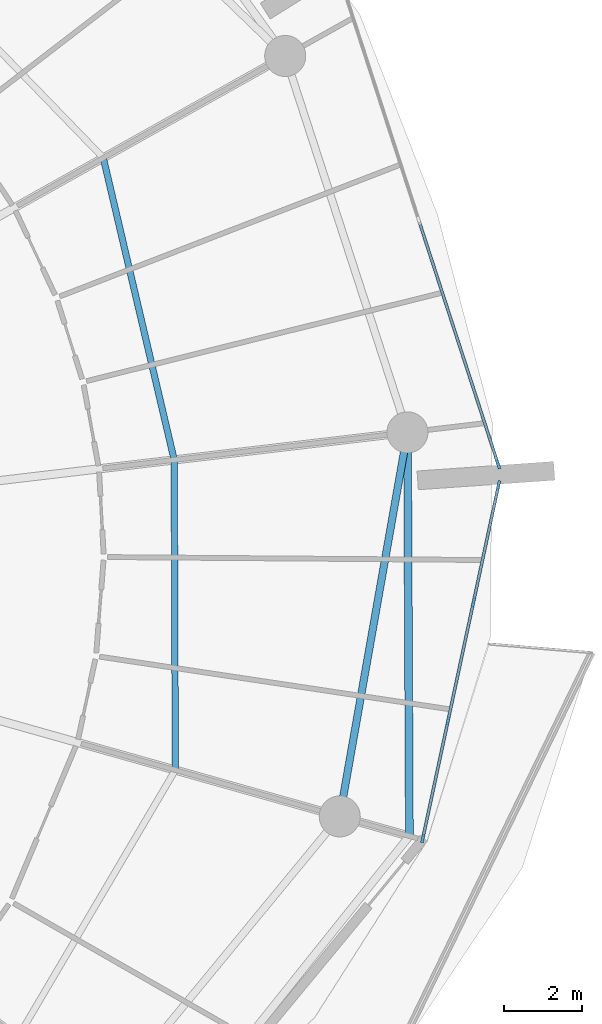
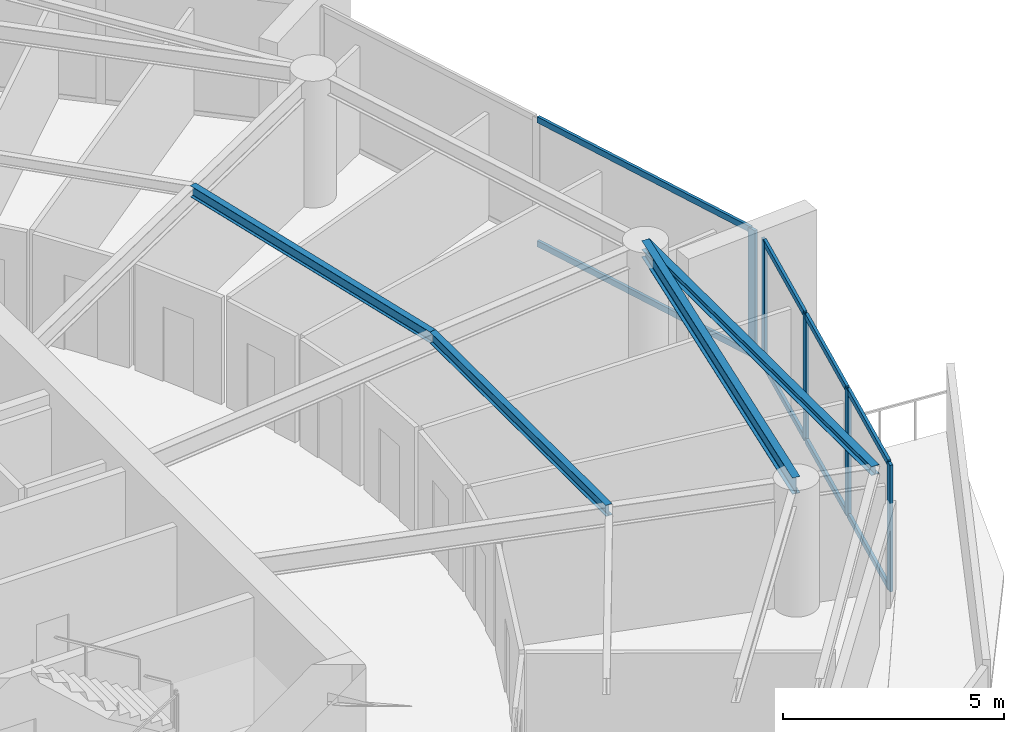
# One storey, part 7 of 21: 13 members, 4 beams, 2 elements without a shape of their own.
"""IFC4 building model written with IfcOpenShell, lengths in metres."""

from ifc_helpers import new_model, si_unit, direction, frame, origin, origin_2d, place, context, subcontext, project, spatial, rectangle, i_section, extrude, material, layer, layer_set, material_profile, profile_set, type_object, element, aggregate, save


model = new_model("IFC4")

# Units and contexts
model_context = context("Model", 3, precision=1e-05, world=origin(), true_north=direction((0.0, 1.0)))
body_context = subcontext(model_context, "Body", "Model", "MODEL_VIEW")
ifc_project = project(units=[si_unit("LENGTHUNIT", "METRE"), si_unit("AREAUNIT", "SQUARE_METRE"), si_unit("VOLUMEUNIT", "CUBIC_METRE"), si_unit("PLANEANGLEUNIT", "RADIAN"), si_unit("MASSUNIT", "GRAM", prefix="KILO")], contexts=[model_context])

# Site, building, storey
site_placement = place(None, origin())
site = spatial("IfcSite", under=ifc_project, at=site_placement, CompositionType="ELEMENT")
building_placement = place(site_placement, origin())
building = spatial("IfcBuilding", under=site, at=building_placement, Name="Kazma Halo Residences", CompositionType="ELEMENT")
storey_placement = place(building_placement, frame((0.0, 0.0, 180.300048828125)))
storey = spatial("IfcBuildingStorey", under=building, at=storey_placement, Name="L45", CompositionType="ELEMENT", Elevation=180.300048828125)

# Beams
ifc_material_1 = material(Name="Steel S355", Category="steel")
ifc_material_profile_1 = material_profile(ifc_material_1, i_section(OverallWidth=0.201904296875, OverallDepth=0.2470703125, WebThickness=0.00732421875, FlangeThickness=0.010986328125, FilletRadius=0.011962890625, at=origin_2d()), Name="W250x49.1")
ifc_profile_set_1 = profile_set([ifc_material_profile_1], Name="Steel S355")
beam_type_1 = type_object("IfcBeamType", Name="BM-BAL-CANT", PredefinedType="BEAM", material=ifc_profile_set_1)
beam_1_placement = place(storey_placement, frame((73.80029296875, 34.723388671875, 3.37646484375), z_axis=(-0.004705663334, 0.999988928305, 0.0), x_axis=(-0.999988928305, -0.004705663334, 0.0)))
element("IfcBeam", 1, at=beam_1_placement, inside=storey, type_object=beam_type_1, Name="L45 wave-balcony tie beam 15", PredefinedType="BEAM", context=body_context, shape_type="SweptSolid", body=[
    extrude(i_section(OverallWidth=0.201904296875, OverallDepth=0.2470703125, WebThickness=0.00732421875, FlangeThickness=0.010986328125, FilletRadius=0.011962890625, at=origin_2d()), origin(), (0.0, 0.0, 1.0), 10.324462890625),
])
ifc_material_profile_2 = material_profile(ifc_material_1, i_section(OverallWidth=0.1650390625, OverallDepth=0.31005859375, WebThickness=0.005859375, FlangeThickness=0.009765625, FilletRadius=0.011962890625, at=origin_2d()), Name="W310x38.7")
ifc_profile_set_2 = profile_set([ifc_material_profile_2], Name="Steel S355")
beam_type_2 = type_object("IfcBeamType", Name="BM-SEC-W310B", PredefinedType="JOIST", material=ifc_profile_set_2)
beam_2_placement = place(storey_placement, frame((67.815185546875, 36.41162109375, 3.344970703125), z_axis=(-0.003540400199, 0.999993732764, 0.0), x_axis=(-0.999993732764, -0.003540400199, 0.0)))
element("IfcBeam", 2, at=beam_2_placement, inside=storey, type_object=beam_type_2, Name="L45 circumferential floor joist 15", PredefinedType="JOIST", context=body_context, shape_type="SweptSolid", body=[
    extrude(i_section(OverallWidth=0.1650390625, OverallDepth=0.31005859375, WebThickness=0.005859375, FlangeThickness=0.009765625, FilletRadius=0.011962890625, at=origin_2d()), origin(), (0.0, 0.0, 1.0), 7.93017578125),
])
beam_3_placement = place(storey_placement, frame((67.787109375, 44.341796875, 3.344970703125), z_axis=(-0.228572787048, 0.973526826041, 0.0), x_axis=(-0.973526826041, -0.228572787048, 0.0)))
element("IfcBeam", 3, at=beam_3_placement, inside=storey, type_object=beam_type_2, Name="L45 circumferential floor joist 16", PredefinedType="JOIST", context=body_context, shape_type="SweptSolid", body=[
    extrude(i_section(OverallWidth=0.1650390625, OverallDepth=0.31005859375, WebThickness=0.005859375, FlangeThickness=0.009765625, FilletRadius=0.011962890625, at=origin_2d()), origin(), (0.0, 0.0, 1.0), 7.933837890625),
])
ifc_material_profile_3 = material_profile(ifc_material_1, i_section(OverallWidth=0.18994140625, OverallDepth=0.45703125, WebThickness=0.009033203125, FlangeThickness=0.014404296875, FilletRadius=0.01611328125, at=origin_2d()), Name="W460x74")
ifc_profile_set_3 = profile_set([ifc_material_profile_3], Name="Steel S355")
beam_type_3 = type_object("IfcBeamType", Name="BM-SPN-W460", PredefinedType="BEAM", material=ifc_profile_set_3)
beam_4_placement = place(storey_placement, frame((72.019775390625, 35.2255859375, 3.271484375), z_axis=(0.173648484202, 0.984807698962, 0.0), x_axis=(-0.984807698962, 0.173648484202, 0.0)))
element("IfcBeam", 4, at=beam_4_placement, inside=storey, type_object=beam_type_3, Name="L45 perimeter ring beam 15", PredefinedType="BEAM", context=body_context, shape_type="SweptSolid", body=[
    extrude(i_section(OverallWidth=0.18994140625, OverallDepth=0.45703125, WebThickness=0.009033203125, FlangeThickness=0.014404296875, FilletRadius=0.01611328125, at=origin_2d()), origin(), (0.0, 0.0, 1.0), 9.973876953125),
])

# Curtain wall, members
ifc_material_2 = material(Name="Aluminium AW-6063 T6 and Triple-Silver Low-E Glass", Category="aluminium")
ifc_layer = layer(ifc_material_2, 0.219970703125)
ifc_layer_set = layer_set([ifc_layer], Name="Aluminium AW-6063 T6 and Triple-Silver Low-E Glass")
curtain_wall_type = type_object("IfcCurtainWallType", Name="CW-SYS-4", PredefinedType="NOTDEFINED", material=ifc_layer_set)
curtain_wall_1_placement = place(storey_placement, origin())
curtain_wall_1 = element("IfcCurtainWall", 5, at=curtain_wall_1_placement, inside=storey, type_object=curtain_wall_type, Name="L45 unitised curtain wall B15", PredefinedType="NOTDEFINED")
ifc_material_3 = material(Name="Aluminium AW-6063 T6", Category="aluminium")
ifc_material_profile_4 = material_profile(ifc_material_3, rectangle(XDim=0.074951171875, YDim=0.219970703125, at=origin_2d()), Name="CWM-75x220")
ifc_profile_set_4 = profile_set([ifc_material_profile_4], Name="Aluminium AW-6063 T6")
member_type_1 = type_object("IfcMemberType", Name="CW-SYS-4-MUL", PredefinedType="MULLION", material=ifc_profile_set_4)
member_1_placement = place(storey_placement, frame((74.1435546875, 34.665771484375, 0.0), z_axis=(0.0, 0.0, 1.0), x_axis=(-0.977768017212, 0.209689543175, 0.0)))
member_1 = element("IfcMember", 6, at=member_1_placement, type_object=member_type_1, Name="CWS-4 mullion 1", PredefinedType="MULLION", context=body_context, shape_type="SweptSolid", body=[
    extrude(rectangle(XDim=0.074951171875, YDim=0.219970703125, at=origin_2d()), origin(), (0.0, 0.0, 1.0), 3.5),
])
member_2_placement = place(storey_placement, frame((74.787109375, 37.6669921875, 0.0), z_axis=(0.0, 0.0, 1.0), x_axis=(-0.977768017212, 0.209689543175, 0.0)))
member_2 = element("IfcMember", 7, at=member_2_placement, type_object=member_type_1, Name="CWS-4 mullion 2", PredefinedType="MULLION", context=body_context, shape_type="SweptSolid", body=[
    extrude(rectangle(XDim=0.074951171875, YDim=0.219970703125, at=origin_2d()), origin(), (0.0, 0.0, 1.0), 3.5),
])
member_3_placement = place(storey_placement, frame((75.438720703125, 40.704833984375, 0.0), z_axis=(0.0, 0.0, 1.0), x_axis=(-0.977768017212, 0.209689543175, 0.0)))
member_3 = element("IfcMember", 8, at=member_3_placement, type_object=member_type_1, Name="CWS-4 mullion 3", PredefinedType="MULLION", context=body_context, shape_type="SweptSolid", body=[
    extrude(rectangle(XDim=0.074951171875, YDim=0.219970703125, at=origin_2d()), origin(), (0.0, 0.0, 1.0), 3.5),
])
member_4_placement = place(storey_placement, frame((76.082275390625, 43.7060546875, 0.0), z_axis=(0.0, 0.0, 1.0), x_axis=(-0.977768017212, 0.209689543175, 0.0)))
member_4 = element("IfcMember", 9, at=member_4_placement, type_object=member_type_1, Name="CWS-4 mullion 4", PredefinedType="MULLION", context=body_context, shape_type="SweptSolid", body=[
    extrude(rectangle(XDim=0.074951171875, YDim=0.219970703125, at=origin_2d()), origin(), (0.0, 0.0, 1.0), 3.5),
])

# Curtain wall, member
curtain_wall_2_placement = place(storey_placement, origin())
curtain_wall_2 = element("IfcCurtainWall", 10, at=curtain_wall_2_placement, inside=storey, type_object=curtain_wall_type, Name="L45 unitised curtain wall B16", PredefinedType="NOTDEFINED")
member_5_placement = place(storey_placement, frame((76.0712890625, 44.22119140625, 0.0), z_axis=(0.0, 0.0, 1.0), x_axis=(-0.951056893636, -0.309015833038, 0.0)))
member_5 = element("IfcMember", 11, at=member_5_placement, type_object=member_type_1, Name="CWS-4 mullion 1", PredefinedType="MULLION", context=body_context, shape_type="SweptSolid", body=[
    extrude(rectangle(XDim=0.074951171875, YDim=0.219970703125, at=origin_2d()), origin(), (0.0, 0.0, 1.0), 3.5),
])

# Member
ifc_material_profile_5 = material_profile(ifc_material_3, rectangle(XDim=0.074951171875, YDim=0.1650390625, at=origin_2d()), Name="CWT-75x165")
ifc_profile_set_5 = profile_set([ifc_material_profile_5], Name="Aluminium AW-6063 T6")
member_type_2 = type_object("IfcMemberType", Name="CW-SYS-4-TRN", PredefinedType="USERDEFINED", material=ifc_profile_set_5)
member_6_placement = place(storey_placement, frame((74.1513671875, 34.702392578125, 0.037353515625), z_axis=(0.209707268418, 0.977764215735, 0.0), x_axis=(-0.977764215735, 0.209707268418, 0.0)))
member_6 = element("IfcMember", 12, at=member_6_placement, type_object=member_type_2, Name="CWS-4 transom 1.1", ObjectType="TRANSOM", PredefinedType="USERDEFINED", context=body_context, shape_type="SweptSolid", body=[
    extrude(rectangle(XDim=0.074951171875, YDim=0.1650390625, at=origin_2d()), origin(), (0.0, 0.0, 1.0), 2.994384765625),
])

member_7_placement = place(storey_placement, frame((74.1513671875, 34.702392578125, 3.46240234375), z_axis=(0.209707268418, 0.977764215735, 0.0), x_axis=(-0.977764215735, 0.209707268418, 0.0)))
member_7 = element("IfcMember", 13, at=member_7_placement, type_object=member_type_2, Name="CWS-4 transom 1.2", ObjectType="TRANSOM", PredefinedType="USERDEFINED", context=body_context, shape_type="SweptSolid", body=[
    extrude(rectangle(XDim=0.074951171875, YDim=0.1650390625, at=origin_2d()), origin(), (0.0, 0.0, 1.0), 2.994384765625),
])

member_8_placement = place(storey_placement, frame((74.794921875, 37.70361328125, 0.037353515625), z_axis=(0.209677559804, 0.977770587057, 0.0), x_axis=(-0.977770587057, 0.209677559804, 0.0)))
member_8 = element("IfcMember", 14, at=member_8_placement, type_object=member_type_2, Name="CWS-4 transom 2.1", ObjectType="TRANSOM", PredefinedType="USERDEFINED", context=body_context, shape_type="SweptSolid", body=[
    extrude(rectangle(XDim=0.074951171875, YDim=0.1650390625, at=origin_2d()), origin(), (0.0, 0.0, 1.0), 3.031982421875),
])

member_9_placement = place(storey_placement, frame((74.794921875, 37.70361328125, 3.46240234375), z_axis=(0.209677559804, 0.977770587057, 0.0), x_axis=(-0.977770587057, 0.209677559804, 0.0)))
member_9 = element("IfcMember", 15, at=member_9_placement, type_object=member_type_2, Name="CWS-4 transom 2.2", ObjectType="TRANSOM", PredefinedType="USERDEFINED", context=body_context, shape_type="SweptSolid", body=[
    extrude(rectangle(XDim=0.074951171875, YDim=0.1650390625, at=origin_2d()), origin(), (0.0, 0.0, 1.0), 3.031982421875),
])

member_10_placement = place(storey_placement, frame((75.446533203125, 40.741455078125, 0.037353515625), z_axis=(0.209690551496, 0.97776780097, 0.0), x_axis=(-0.97776780097, 0.209690551496, 0.0)))
member_10 = element("IfcMember", 16, at=member_10_placement, type_object=member_type_2, Name="CWS-4 transom 3.1", ObjectType="TRANSOM", PredefinedType="USERDEFINED", context=body_context, shape_type="SweptSolid", body=[
    extrude(rectangle(XDim=0.074951171875, YDim=0.1650390625, at=origin_2d()), origin(), (0.0, 0.0, 1.0), 2.99462890625),
])

member_11_placement = place(storey_placement, frame((75.446533203125, 40.741455078125, 3.46240234375), z_axis=(0.209690551496, 0.97776780097, 0.0), x_axis=(-0.97776780097, 0.209690551496, 0.0)))
member_11 = element("IfcMember", 17, at=member_11_placement, type_object=member_type_2, Name="CWS-4 transom 3.2", ObjectType="TRANSOM", PredefinedType="USERDEFINED", context=body_context, shape_type="SweptSolid", body=[
    extrude(rectangle(XDim=0.074951171875, YDim=0.1650390625, at=origin_2d()), origin(), (0.0, 0.0, 1.0), 2.99462890625),
])

aggregate(curtain_wall_1, [member_1, member_2, member_3, member_4, member_6, member_7, member_8, member_9, member_10, member_11])

member_12_placement = place(storey_placement, frame((76.0595703125, 44.2568359375, 0.037353515625), z_axis=(-0.30902650142, 0.951053427217, 0.0), x_axis=(-0.951053427217, -0.30902650142, 0.0)))
member_12 = element("IfcMember", 18, at=member_12_placement, type_object=member_type_2, Name="CWS-4 transom 1.1", ObjectType="TRANSOM", PredefinedType="USERDEFINED", context=body_context, shape_type="SweptSolid", body=[
    extrude(rectangle(XDim=0.074951171875, YDim=0.1650390625, at=origin_2d()), origin(), (0.0, 0.0, 1.0), 6.487060546875),
])

member_13_placement = place(storey_placement, frame((76.0595703125, 44.2568359375, 3.46240234375), z_axis=(-0.30902650142, 0.951053427217, 0.0), x_axis=(-0.951053427217, -0.30902650142, 0.0)))
member_13 = element("IfcMember", 19, at=member_13_placement, type_object=member_type_2, Name="CWS-4 transom 1.2", ObjectType="TRANSOM", PredefinedType="USERDEFINED", context=body_context, shape_type="SweptSolid", body=[
    extrude(rectangle(XDim=0.074951171875, YDim=0.1650390625, at=origin_2d()), origin(), (0.0, 0.0, 1.0), 6.487060546875),
])

aggregate(curtain_wall_2, [member_5, member_12, member_13])

save(model, "model.ifc")
